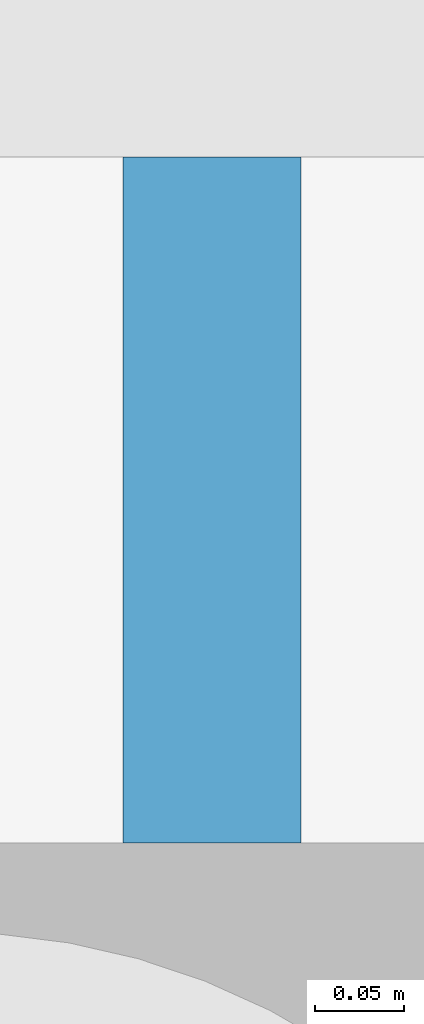
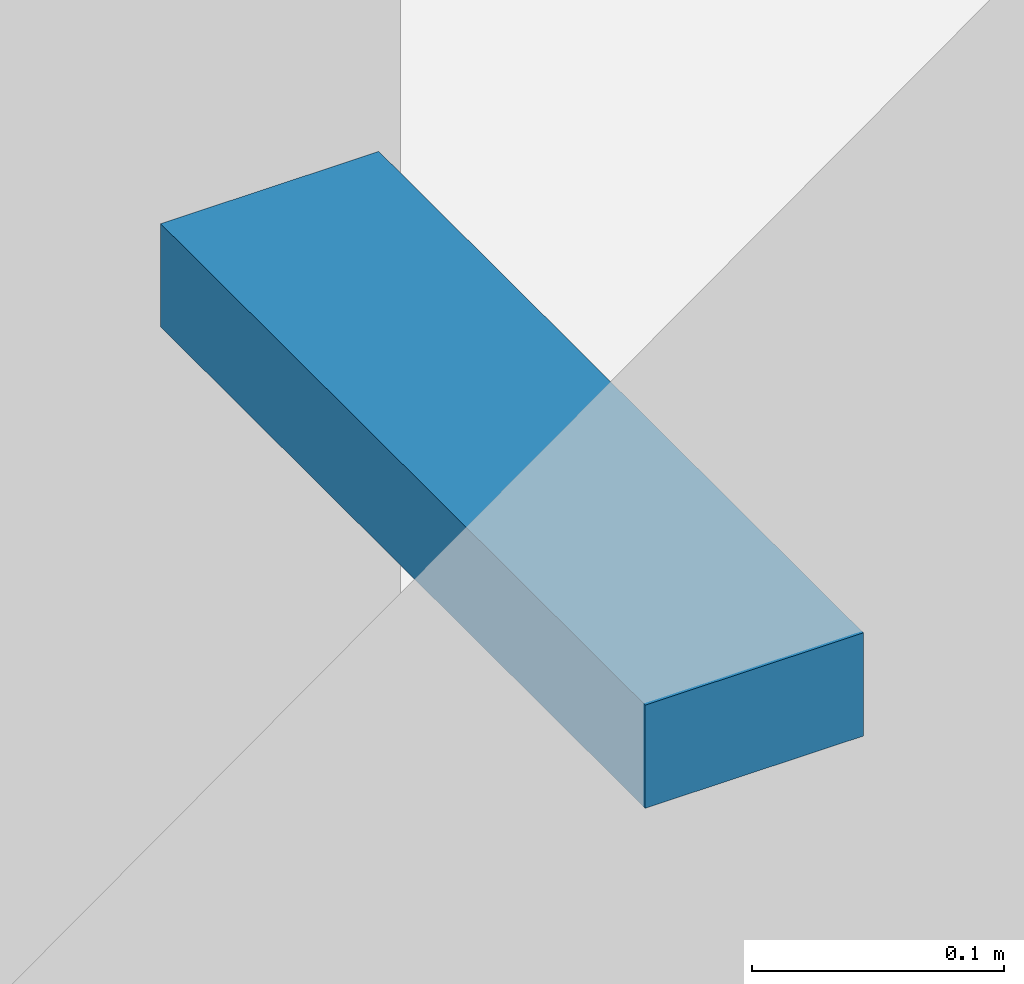
# One storey, part 33 of 129: 1 member.
"""IFC4 building model written with IfcOpenShell, lengths in metres."""

from ifc_helpers import new_model, si_unit, direction, frame, origin, origin_2d, place, context, subcontext, project, spatial, rectangle, extrude, material, material_profile, profile_set, type_object, element, save


model = new_model("IFC4")

# Units and contexts
model_context = context("Model", 3, precision=1e-05, world=origin(), true_north=direction((0.0, 1.0)))
body_context = subcontext(model_context, "Body", "Model", "MODEL_VIEW")
ifc_project = project(units=[si_unit("LENGTHUNIT", "METRE"), si_unit("AREAUNIT", "SQUARE_METRE"), si_unit("VOLUMEUNIT", "CUBIC_METRE"), si_unit("PLANEANGLEUNIT", "RADIAN"), si_unit("MASSUNIT", "GRAM", prefix="KILO")], contexts=[model_context])

# Site, building, storey
site_placement = place(None, origin())
site = spatial("IfcSite", under=ifc_project, at=site_placement, CompositionType="ELEMENT")
building_placement = place(site_placement, origin())
building = spatial("IfcBuilding", under=site, at=building_placement, Name="Kiln Court Media Centre", CompositionType="ELEMENT")
storey_placement = place(building_placement, origin())
storey = spatial("IfcBuildingStorey", under=building, at=storey_placement, Name="L00", CompositionType="ELEMENT", Elevation=0.0)

# Member
ifc_material = material(Name="Steel ASTM A572 Gr 50", Category="steel")
ifc_material_profile = material_profile(ifc_material, rectangle(XDim=0.10009765625, YDim=0.050048828125, at=origin_2d()), Name="Steel ASTM A572 Gr 50 screen bracket 100x50")
ifc_profile_set = profile_set([ifc_material_profile], Name="Steel ASTM A572 Gr 50")
member_type = type_object("IfcMemberType", Name="Steel ASTM A572 Gr 50 screen bracket 100x50", PredefinedType="USERDEFINED", material=ifc_profile_set)
member_placement = place(storey_placement, frame((16.949951171875, 25.64990234375, 4.5), z_axis=(0.0, 1.0, 0.0), x_axis=(-1.0, 0.0, 0.0)))
element("IfcMember", 1, at=member_placement, inside=storey, type_object=member_type, Name="SCREEN bracket SCR-N-08", ObjectType="SCREEN BRACKET", PredefinedType="USERDEFINED", context=body_context, shape_type="SweptSolid", body=[
    extrude(rectangle(XDim=0.10009765625, YDim=0.050048828125, at=origin_2d()), origin(), (0.0, 0.0, 1.0), 0.385009765625),
])

save(model, "model.ifc")
